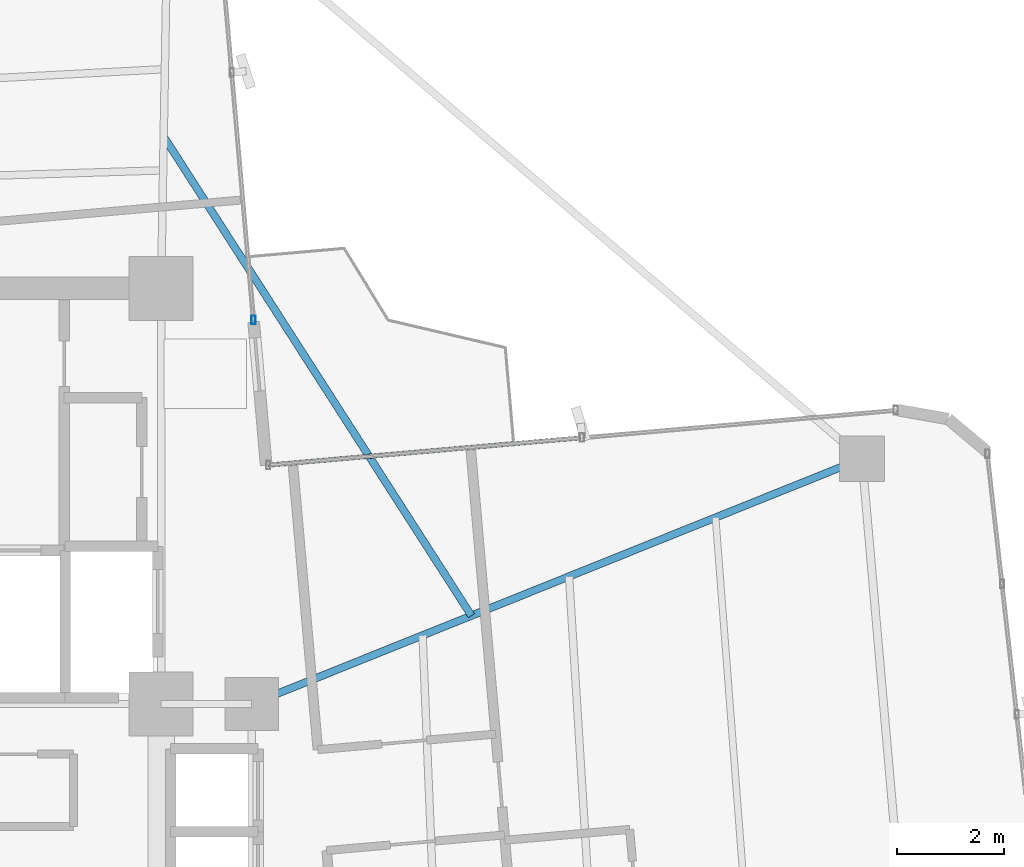
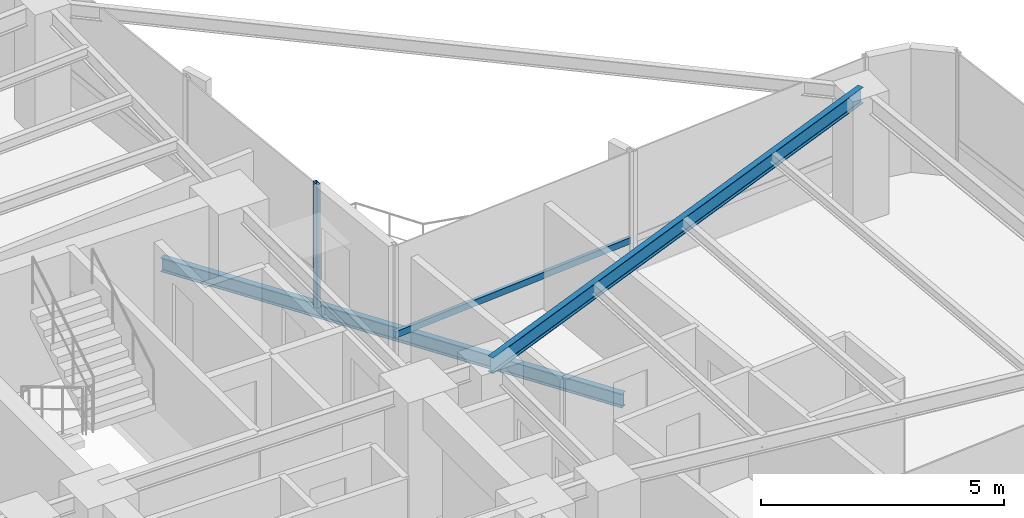
# One storey, part 12 of 24: 2 beams, 2 members, 2 elements without a shape of their own.
"""IFC4 building model written with IfcOpenShell, lengths in metres."""

from ifc_helpers import new_model, si_unit, direction, frame, origin, origin_2d, place, context, subcontext, project, spatial, hollow_rectangle, i_section, extrude, source, transform, mapped, material, material_profile, profile_set, type_object, element, aggregate, save


model = new_model("IFC4")

# Units and contexts
model_context = context("Model", 3, precision=1e-05, world=origin(), true_north=direction((0.0, 1.0)))
body_context = subcontext(model_context, "Body", "Model", "MODEL_VIEW")
ifc_project = project(units=[si_unit("LENGTHUNIT", "METRE"), si_unit("AREAUNIT", "SQUARE_METRE"), si_unit("VOLUMEUNIT", "CUBIC_METRE"), si_unit("PLANEANGLEUNIT", "RADIAN"), si_unit("MASSUNIT", "GRAM", prefix="KILO")], contexts=[model_context])

# Site, building, storey
site_placement = place(None, origin())
site = spatial("IfcSite", under=ifc_project, at=site_placement, CompositionType="ELEMENT")
building_placement = place(site_placement, origin())
building = spatial("IfcBuilding", under=site, at=building_placement, Name="Sahyath Konkavel Grand Hotel", CompositionType="ELEMENT")
storey_placement = place(building_placement, frame((0.0, 0.0, 147.25)))
storey = spatial("IfcBuildingStorey", under=building, at=storey_placement, Name="L40", CompositionType="ELEMENT", Elevation=147.25)

# Beam
ifc_material_1 = material(Name="Steel E350", Category="steel")
ifc_material_profile_1 = material_profile(ifc_material_1, i_section(OverallWidth=0.139892578125, OverallDepth=0.39990234375, WebThickness=0.0087890625, FlangeThickness=0.01611328125, FilletRadius=0.013916015625, at=origin_2d()), Name="ISMB 400")
ifc_profile_set_1 = profile_set([ifc_material_profile_1], Name="Steel E350")
beam_type_1 = type_object("IfcBeamType", Name="BM-ISMB400", PredefinedType="BEAM", material=ifc_profile_set_1)
shared_shape_1 = source(origin(), body_context, "Body", "SweptSolid", [
    extrude(i_section(OverallWidth=0.139892578125, OverallDepth=0.39990234375, WebThickness=0.0087890625, FlangeThickness=0.01611328125, FilletRadius=0.013916015625, at=origin_2d()), origin(), (0.0, 0.0, 1.0), 12.344970703125),
])
beam_1_placement = place(storey_placement, frame((5.5, 2.39990234375, 2.909912109375), z_axis=(0.927837014101, 0.372985891507, 0.0), x_axis=(-0.372985891507, 0.927837014101, 0.0)))
element("IfcBeam", 1, at=beam_1_placement, inside=storey, type_object=beam_type_1, Name="L40 Cruciform Radial Girder EB", PredefinedType="BEAM", context=body_context, shape_type="MappedRepresentation", body=[
    mapped(shared_shape_1, transform((0.0, 0.0, 0.0), scale=1.0)),
])

# Curtain wall, member
ifc_material_2 = material(Name="Anodised Bronze Aluminium & Low-E Glazing", Category="aluminium")
curtain_wall_type = type_object("IfcCurtainWallType", Name="CW-ZONE3", PredefinedType="NOTDEFINED", material=ifc_material_2)
curtain_wall_1_placement = place(storey_placement, origin())
curtain_wall_1 = element("IfcCurtainWall", 2, at=curtain_wall_1_placement, inside=storey, type_object=curtain_wall_type, Name="L40 Unitised Curtain Wall F8", PredefinedType="NOTDEFINED")
ifc_material_3 = material(Name="Anodised Bronze Aluminium", Category="aluminium")
ifc_material_profile_2 = material_profile(ifc_material_3, hollow_rectangle(XDim=0.080078125, YDim=0.159912109375, WallThickness=0.006103515625, at=origin_2d()), Name="RHS 160x80x6")
ifc_profile_set_2 = profile_set([ifc_material_profile_2], Name="Anodised Bronze Aluminium")
member_type_1 = type_object("IfcMemberType", Name="CW-MUL-160", PredefinedType="MULLION", material=ifc_profile_set_2)
shared_shape_2 = source(origin(), body_context, "Body", "SweptSolid", [
    extrude(hollow_rectangle(XDim=0.080078125, YDim=0.159912109375, WallThickness=0.006103515625, at=origin_2d()), origin(), (0.0, 0.0, 1.0), 3.110107421875),
])
member_1_placement = place(storey_placement, frame((5.53369140625, 9.60888671875, 0.0), z_axis=(0.0, 0.0, 1.0), x_axis=(1.0, 0.0, 0.0)))
member_1 = element("IfcMember", 3, at=member_1_placement, type_object=member_type_1, Name="L40 Curtain Wall Mullion F8-0", PredefinedType="MULLION", context=body_context, shape_type="MappedRepresentation", body=[
    mapped(shared_shape_2, transform((0.0, 0.0, 0.0), scale=1.0)),
])
aggregate(curtain_wall_1, [member_1])

curtain_wall_2_placement = place(storey_placement, origin())
curtain_wall_2 = element("IfcCurtainWall", 4, at=curtain_wall_2_placement, inside=storey, type_object=curtain_wall_type, Name="L40 Unitised Curtain Wall F7", PredefinedType="NOTDEFINED")
ifc_material_profile_3 = material_profile(ifc_material_3, hollow_rectangle(XDim=0.080078125, YDim=0.159912109375, WallThickness=0.006103515625, at=origin_2d()), Name="RHS 160x80x6")
ifc_profile_set_3 = profile_set([ifc_material_profile_3], Name="Anodised Bronze Aluminium")
member_type_2 = type_object("IfcMemberType", Name="CW-TRN-160", PredefinedType="USERDEFINED", material=ifc_profile_set_3)
shared_shape_3 = source(origin(), body_context, "Body", "SweptSolid", [
    extrude(hollow_rectangle(XDim=0.080078125, YDim=0.159912109375, WallThickness=0.006103515625, at=origin_2d()), origin(), (0.0, 0.0, 1.0), 5.909912109375),
])
member_2_placement = place(storey_placement, frame((11.69970703125, 7.39794921875, 0.85009765625), z_axis=(-0.996193941691, -0.087164388014, 0.0), x_axis=(0.087164388014, -0.996193941691, 0.0)))
member_2 = element("IfcMember", 5, at=member_2_placement, type_object=member_type_2, Name="L40 Curtain Wall Transom F7-1-spandrel", ObjectType="TRANSOM", PredefinedType="USERDEFINED", context=body_context, shape_type="MappedRepresentation", body=[
    mapped(shared_shape_3, transform((0.0, 0.0, 0.0), scale=1.0)),
])
aggregate(curtain_wall_2, [member_2])

# Beam
ifc_material_profile_4 = material_profile(ifc_material_1, i_section(OverallWidth=0.139892578125, OverallDepth=0.35009765625, WebThickness=0.008056640625, FlangeThickness=0.01416015625, FilletRadius=0.013916015625, at=origin_2d()), Name="ISMB 350")
ifc_profile_set_4 = profile_set([ifc_material_profile_4], Name="Steel E350")
beam_type_2 = type_object("IfcBeamType", Name="BM-BALC-CANT", PredefinedType="BEAM", material=ifc_profile_set_4)
shared_shape_4 = source(origin(), body_context, "Body", "SweptSolid", [
    extrude(i_section(OverallWidth=0.139892578125, OverallDepth=0.35009765625, WebThickness=0.008056640625, FlangeThickness=0.01416015625, FilletRadius=0.013916015625, at=origin_2d()), origin(), (0.0, 0.0, 1.0), 10.685302734375),
])
beam_2_placement = place(storey_placement, frame((9.62353515625, 4.0576171875, -0.4150390625), z_axis=(-0.540404181048, 0.841405562797, 0.0), x_axis=(-0.841405562797, -0.540404181048, 0.0)))
element("IfcBeam", 6, at=beam_2_placement, inside=storey, type_object=beam_type_2, Name="L40 Balcony Cantilever Support Beam NE", PredefinedType="BEAM", context=body_context, shape_type="MappedRepresentation", body=[
    mapped(shared_shape_4, transform((0.0, 0.0, 0.0), scale=1.0)),
])

save(model, "model.ifc")
